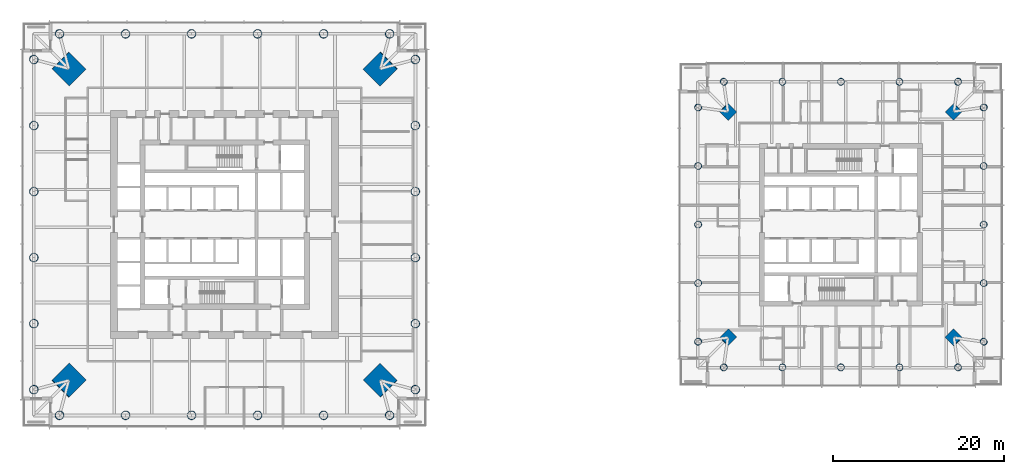
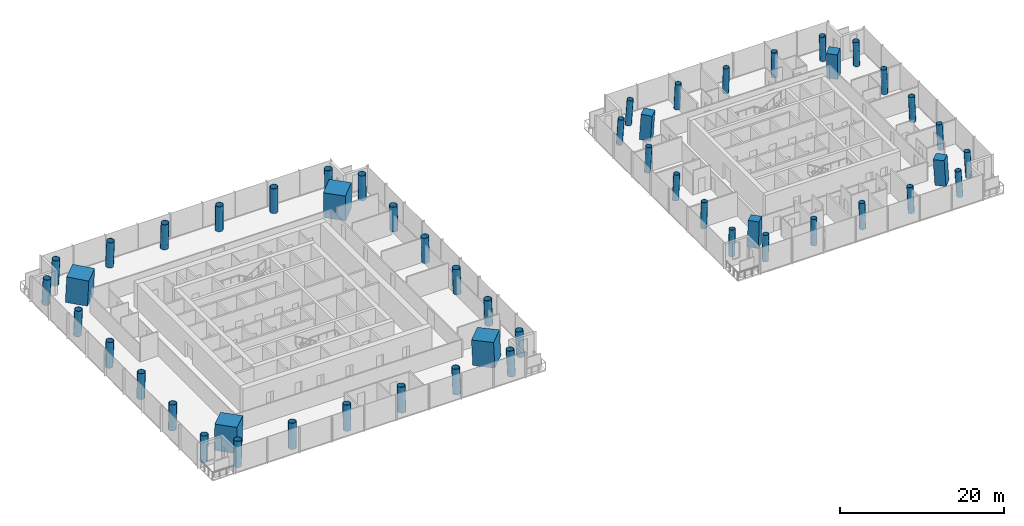
# One storey, part 1 of 18: 52 columns.
"""IFC4 building model written with IfcOpenShell, lengths in metres."""

import ifcopenshell
import ifcopenshell.guid

model = None  # the IFC model being written
_history = None  # IfcOwnerHistory: only IFC2X3 demands one
_inside = {}  # id of a spatial element -> (the spatial element, [elements in it])
_under = {}  # id of a project, library or spatial element -> (it, [spatial elements below it])
_declared = {}  # id of a project -> (the project, [libraries it declares])
_typed = {}  # id of a type object -> (the type object, [elements of that type])
_made_of = {}  # id of a material, layer set ... -> (it, [elements and type objects made of it])


def new_model(schema):
    """Start an empty IFC model of exactly this schema.

    Asked for "IFC4X3", IfcOpenShell would pick the latest addendum, in which some entities
    have other attributes; the version numbers below select the first issue.
    IFC2X3 requires an IfcOwnerHistory on every rooted entity: one is made here for all.
    """
    global model, _history
    if schema == "IFC4X3":
        model = ifcopenshell.file(schema_version=(4, 3, 0, 0))
    else:
        model = ifcopenshell.file(schema=schema)
    _inside.clear()
    _under.clear()
    _declared.clear()
    _typed.clear()
    _made_of.clear()
    _history = None
    if model.schema == "IFC2X3":
        org = make("IfcOrganization", Name="unknown")
        user = make(
            "IfcPersonAndOrganization",
            ThePerson=make("IfcPerson", FamilyName="unknown"),
            TheOrganization=org,
        )
        app = make(
            "IfcApplication",
            ApplicationDeveloper=org,
            Version="unknown",
            ApplicationFullName="unknown",
            ApplicationIdentifier="unknown",
        )
        _history = make(
            "IfcOwnerHistory",
            OwningUser=user,
            OwningApplication=app,
            ChangeAction="ADDED",
            CreationDate=0,
        )
    return model


def make(cls, **values):
    """One entity of the class cls with the attributes given. An attribute that is None is left unset."""
    return model.create_entity(
        cls, **{name: value for name, value in values.items() if value is not None}
    )


def rooted(cls, **values):
    """An entity with a GlobalId (a new one), such as an element, a storey or a relation."""
    return make(cls, GlobalId=ifcopenshell.guid.new(), OwnerHistory=_history, **values)


def si_unit(unit_type, name, prefix=None):
    """IfcSIUnit, for example si_unit("LENGTHUNIT", "METRE", prefix="MILLI")."""
    return make("IfcSIUnit", UnitType=unit_type, Prefix=prefix, Name=name)


def assignment(units):
    """IfcUnitAssignment: the units of a project."""
    return None if units is None else make("IfcUnitAssignment", Units=units)


def point(xyz):
    """IfcCartesianPoint."""
    return None if xyz is None else make("IfcCartesianPoint", Coordinates=xyz)


def direction(xyz):
    """IfcDirection."""
    return None if xyz is None else make("IfcDirection", DirectionRatios=xyz)


def frame(location, z_axis=None, x_axis=None):
    """IfcAxis2Placement3D, a coordinate frame: its origin and axes. An axis left out is left unset."""
    return make(
        "IfcAxis2Placement3D",
        Location=point(location),
        Axis=direction(z_axis),
        RefDirection=direction(x_axis),
    )


def frame_2d(location, x_axis=None):
    """IfcAxis2Placement2D, a coordinate frame in the plane: its origin and x axis."""
    return make(
        "IfcAxis2Placement2D", Location=point(location), RefDirection=direction(x_axis)
    )


def origin():
    """The frame at (0, 0, 0) with its axes left unset."""
    return frame((0.0, 0.0, 0.0))


def origin_2d():
    """The frame at (0, 0) in the plane with its x axis left unset."""
    return frame_2d((0.0, 0.0))


def place(relative_to, where):
    """IfcLocalPlacement: puts the frame where relative to a parent placement (None: the world)."""
    return make(
        "IfcLocalPlacement", PlacementRelTo=relative_to, RelativePlacement=where
    )


def context(
    kind, dimensions, precision=None, world=None, true_north=None, identifier=None
):
    """IfcGeometricRepresentationContext, for example the 3D "Model" context."""
    return make(
        "IfcGeometricRepresentationContext",
        ContextIdentifier=identifier,
        ContextType=kind,
        CoordinateSpaceDimension=dimensions,
        Precision=precision,
        WorldCoordinateSystem=world,
        TrueNorth=true_north,
    )


def subcontext(parent, identifier, kind, view, scale=None):
    """IfcGeometricRepresentationSubContext, for example "Body" below "Model"."""
    return make(
        "IfcGeometricRepresentationSubContext",
        ContextIdentifier=identifier,
        ContextType=kind,
        ParentContext=parent,
        TargetScale=scale,
        TargetView=view,
    )


def project(units=None, contexts=None):
    """IfcProject with its units and contexts."""
    return rooted(
        "IfcProject",
        Name="project",
        RepresentationContexts=contexts,
        UnitsInContext=assignment(units),
    )


def spatial(cls, under=None, at=None, **own):
    """A site, building, storey or space (cls), placed at a placement, below another one or the project."""
    s = rooted(cls, ObjectPlacement=at, **own)
    if under is not None:
        _under.setdefault(under.id(), (under, []))[1].append(s)
    return s


def profile(cls, at=None, kind="AREA", **sizes):
    """A parametric profile (cls). Its sizes go by their IFC names, for example OverallWidth=200.0."""
    return make(cls, ProfileType=kind, Position=at, **sizes)


def rectangle(**sizes):
    """IfcRectangleProfileDef."""
    return profile("IfcRectangleProfileDef", **sizes)


def hollow_circle(**sizes):
    """IfcCircleHollowProfileDef."""
    return profile("IfcCircleHollowProfileDef", **sizes)


def extrude(swept, where, along, depth):
    """IfcExtrudedAreaSolid: the profile swept, set in the frame where, extruded along a direction by depth."""
    return make(
        "IfcExtrudedAreaSolid",
        SweptArea=swept,
        Position=where,
        ExtrudedDirection=direction(along),
        Depth=depth,
    )


def shape(context_of_items, identifier, shape_type, items):
    """IfcShapeRepresentation: the items that make up one representation, for example the "Body"."""
    return make(
        "IfcShapeRepresentation",
        ContextOfItems=context_of_items,
        RepresentationIdentifier=identifier,
        RepresentationType=shape_type,
        Items=items,
    )


def material(Name=None, Category=None):
    """IfcMaterial."""
    return make("IfcMaterial", Name=Name, Category=Category)


def material_profile(
    of_material, cross_section, Name=None, Category=None, Priority=None
):
    """IfcMaterialProfile: a cross section and its material."""
    return make(
        "IfcMaterialProfile",
        Name=Name,
        Material=of_material,
        Profile=cross_section,
        Priority=Priority,
        Category=Category,
    )


def profile_set(profiles, Name=None, composite=None):
    """IfcMaterialProfileSet."""
    return make(
        "IfcMaterialProfileSet",
        Name=Name,
        MaterialProfiles=profiles,
        CompositeProfile=composite,
    )


def made_of(thing, what):
    """Note that an element or type object is made of a material, layer set ...; save() writes the relation."""
    if what is not None:
        _made_of.setdefault(what.id(), (what, []))[1].append(thing)
    return thing


def type_object(cls, material=None, **own):
    """A type object (cls), such as IfcWallType, which elements share."""
    return made_of(rooted(cls, **own), material)


def element(
    cls,
    number,
    at=None,
    inside=None,
    cuts=None,
    type_object=None,
    material=None,
    context=None,
    identifier="Body",
    shape_type=None,
    held_by="IfcProductDefinitionShape",
    body=None,
    shapes=None,
    **own,
):
    """One element of the class cls, such as IfcWall. Its Tag is "e" and its number.

    at: its placement. inside: the storey or other place that contains it. cuts: it is an
    opening in that element (IfcRelVoidsElement). A single representation is given by context,
    identifier, shape_type and body (its items); several are given by shapes. held_by: the class
    of the entity that holds the representations. save() writes the other relations.
    """
    e = rooted(cls, Tag="e%d" % number, ObjectPlacement=at, **own)
    if body is not None:
        shapes = [shape(context, identifier, shape_type, body)]
    if shapes is not None:
        e.Representation = make(held_by, Representations=shapes)
    if inside is not None:
        _inside.setdefault(inside.id(), (inside, []))[1].append(e)
    if cuts is not None:
        rooted(
            "IfcRelVoidsElement", RelatingBuildingElement=cuts, RelatedOpeningElement=e
        )
    if type_object is not None:
        _typed.setdefault(type_object.id(), (type_object, []))[1].append(e)
    return made_of(e, material)


def aggregate(whole, parts):
    """IfcRelAggregates: a whole, such as a stair, and the parts it consists of."""
    return rooted("IfcRelAggregates", RelatingObject=whole, RelatedObjects=parts)


def save(model, path):
    """Write the relations noted so far, then the file.

    IfcRelAggregates (storeys below a building ...), IfcRelContainedInSpatialStructure (elements
    in a storey), IfcRelDefinesByType, IfcRelAssociatesMaterial and IfcRelDeclares: one each for
    every whole, place, type object, material and project.
    """
    for whole, parts in _under.values():
        aggregate(whole, parts)
    for where, things in _inside.values():
        rooted(
            "IfcRelContainedInSpatialStructure",
            RelatedElements=things,
            RelatingStructure=where,
        )
    for kind, things in _typed.values():
        rooted("IfcRelDefinesByType", RelatedObjects=things, RelatingType=kind)
    for what, things in _made_of.values():
        rooted("IfcRelAssociatesMaterial", RelatedObjects=things, RelatingMaterial=what)
    for by, libraries in _declared.values():
        rooted("IfcRelDeclares", RelatingContext=by, RelatedDefinitions=libraries)
    model.write(path)


model = new_model("IFC4")

# Units and contexts
model_context = context("Model", 3, precision=1e-05, world=origin(), true_north=direction((0.0, 1.0)))
body_context = subcontext(model_context, "Body", "Model", "MODEL_VIEW")
ifc_project = project(units=[si_unit("LENGTHUNIT", "METRE"), si_unit("AREAUNIT", "SQUARE_METRE"), si_unit("VOLUMEUNIT", "CUBIC_METRE"), si_unit("PLANEANGLEUNIT", "RADIAN"), si_unit("MASSUNIT", "GRAM", prefix="KILO")], contexts=[model_context])

# Site, building, storey
site_placement = place(None, origin())
site = spatial("IfcSite", under=ifc_project, at=site_placement, CompositionType="ELEMENT")
building_placement = place(site_placement, origin())
building = spatial("IfcBuilding", under=site, at=building_placement, Name="Ostroluk Exchange", CompositionType="ELEMENT")
storey_placement = place(building_placement, frame((0.0, 0.0, 74.199951171875)))
storey = spatial("IfcBuildingStorey", under=building, at=storey_placement, Name="L18", CompositionType="ELEMENT", Elevation=74.199951171875)

# Columns
ifc_material_1 = material(Name="Concrete C50/60", Category="concrete")
ifc_material_profile_1 = material_profile(ifc_material_1, rectangle(XDim=1.39990234375, YDim=1.39990234375, at=origin_2d()), Name="RC 1400x1400")
ifc_profile_set_1 = profile_set([ifc_material_profile_1], Name="Concrete C50/60")
column_type_1 = type_object("IfcColumnType", Name="Mega column RC 1400x1400", PredefinedType="COLUMN", material=ifc_profile_set_1)
for number, where, z_axis, x_axis, name in (
    (1, (130.206787109375, 59.206787109375, 0.0), (-0.042965756413, -0.042965756413, 0.998152236661), (0.707106781187, -0.707106781187, 0.0), "T2 mega column NE"),
    (2, (103.793212890625, 59.206787109375, 0.0), (0.042965756413, -0.042965756413, 0.998152236661), (0.707106781187, 0.707106781187, 0.0), "T2 mega column NW"),
    (3, (103.793212890625, 32.793212890625, 0.0), (0.042965756413, 0.042965756413, 0.998152236661), (-0.707106781187, 0.707106781187, 0.0), "T2 mega column SW"),
    (4, (130.206787109375, 32.793212890625, 0.0), (-0.042965756413, 0.042965756413, 0.998152236661), (-0.707106781187, -0.707106781187, 0.0), "T2 mega column SE"),
):
    element("IfcColumn", number, at=place(storey_placement, frame(where, z_axis=z_axis, x_axis=x_axis)), inside=storey, type_object=column_type_1, Name=name, PredefinedType="COLUMN", context=body_context, shape_type="SweptSolid", body=[
        extrude(rectangle(XDim=1.39990234375, YDim=1.39990234375, at=origin_2d()), origin(), (0.0, 0.0, 1.0), 3.80712890625),
    ])
ifc_material_2 = material(Name="Concrete C50/60", Category="concrete")
ifc_material_profile_2 = material_profile(ifc_material_2, rectangle(XDim=2.800048828125, YDim=2.800048828125, at=origin_2d()), Name="RC 2800x2800")
ifc_profile_set_2 = profile_set([ifc_material_profile_2], Name="Concrete C50/60")
column_type_2 = type_object("IfcColumnType", Name="Mega column RC 2800x2800", PredefinedType="COLUMN", material=ifc_profile_set_2)
for number, where, z_axis, x_axis, name in (
    (5, (63.199951171875, 64.199951171875, 0.0), (-0.031898107953, -0.031898107953, 0.998981992539), (0.707106781187, -0.707106781187, 0.0), "T1 mega column NE"),
    (6, (26.800048828125, 64.199951171875, 0.0), (0.031898107953, -0.031898107953, 0.998981992539), (0.707106781187, 0.707106781187, 0.0), "T1 mega column NW"),
    (7, (26.800048828125, 27.800048828125, 0.0), (0.031898107953, 0.031898107953, 0.998981992539), (-0.707106781187, 0.707106781187, 0.0), "T1 mega column SW"),
    (8, (63.199951171875, 27.800048828125, 0.0), (-0.031898107953, 0.031898107953, 0.998981992539), (-0.707106781187, -0.707106781187, 0.0), "T1 mega column SE"),
):
    element("IfcColumn", number, at=place(storey_placement, frame(where, z_axis=z_axis, x_axis=x_axis)), inside=storey, type_object=column_type_2, Name=name, PredefinedType="COLUMN", context=body_context, shape_type="SweptSolid", body=[
        extrude(rectangle(XDim=2.800048828125, YDim=2.800048828125, at=origin_2d()), origin(), (0.0, 0.0, 1.0), 3.803955078125),
    ])
ifc_material_3 = material(Name="Steel S460", Category="steel")
ifc_material_profile_3 = material_profile(ifc_material_3, hollow_circle(Radius=0.508056640625, WallThickness=0.0400390625, at=origin_2d()), Name="CHS 1016x40")
ifc_profile_set_3 = profile_set([ifc_material_profile_3], Name="Steel S460")
column_type_3 = type_object("IfcColumnType", Name="Perimeter column CHS 1016x40", PredefinedType="COLUMN", material=ifc_profile_set_3)
for number, where, z_axis, x_axis, name in (
    (9, (67.300048828125, 26.699951171875, 0.0), (-0.031962158256, 0.031962158256, 0.998977898093), (-0.707106781187, -0.707106781187, 0.0), "T1 east face column E0"),
    (10, (67.300048828125, 65.300048828125, 0.0), (-0.031962158256, -0.031962158256, 0.998977898093), (0.707106781187, -0.707106781187, 0.0), "T1 east face column E1"),
):
    element("IfcColumn", number, at=place(storey_placement, frame(where, z_axis=z_axis, x_axis=x_axis)), inside=storey, type_object=column_type_3, Name=name, PredefinedType="COLUMN", context=body_context, shape_type="SweptSolid", body=[
        extrude(hollow_circle(Radius=0.508056640625, WallThickness=0.0400390625, at=origin_2d()), origin(), (0.0, 0.0, 1.0), 3.803955078125),
    ])
column_1_placement = place(storey_placement, frame((67.300048828125, 34.419921875, 0.0), z_axis=(-0.031972604108, 0.019196402868, 0.999304383411), x_axis=(-0.514748904804, -0.857340985258, 0.0)))
element("IfcColumn", 11, at=column_1_placement, inside=storey, type_object=column_type_3, Name="T1 east face column I1", PredefinedType="COLUMN", context=body_context, shape_type="SweptSolid", body=[
    extrude(hollow_circle(Radius=0.508056640625, WallThickness=0.0400390625, at=origin_2d()), origin(), (0.0, 0.0, 1.0), 3.802734375),
])
for number, where, z_axis, x_axis, name in (
    (12, (67.300048828125, 42.139892578125, 0.0), (-0.031977837436, 0.006421252497, 0.999467951177), (-0.196873281596, -0.980428942348, 0.0), "T1 east face column I2"),
    (13, (67.300048828125, 49.860107421875, 0.0), (-0.031977837436, -0.006421252497, 0.999467951177), (0.196873281596, -0.980428942348, 0.0), "T1 east face column I3"),
):
    element("IfcColumn", number, at=place(storey_placement, frame(where, z_axis=z_axis, x_axis=x_axis)), inside=storey, type_object=column_type_3, Name=name, PredefinedType="COLUMN", context=body_context, shape_type="SweptSolid", body=[
        extrude(hollow_circle(Radius=0.508056640625, WallThickness=0.0400390625, at=origin_2d()), origin(), (0.0, 0.0, 1.0), 3.802001953125),
    ])
column_2_placement = place(storey_placement, frame((67.300048828125, 57.580078125, 0.0), z_axis=(-0.031972604108, -0.019196402868, 0.999304383411), x_axis=(0.514748904804, -0.857340985258, 0.0)))
element("IfcColumn", 14, at=column_2_placement, inside=storey, type_object=column_type_3, Name="T1 east face column I4", PredefinedType="COLUMN", context=body_context, shape_type="SweptSolid", body=[
    extrude(hollow_circle(Radius=0.508056640625, WallThickness=0.0400390625, at=origin_2d()), origin(), (0.0, 0.0, 1.0), 3.802734375),
])
for number, where, z_axis, x_axis, name in (
    (15, (64.300048828125, 68.300048828125, 0.0), (-0.031962158256, -0.031962158256, 0.998977898093), (0.707106781187, -0.707106781187, 0.0), "T1 north face column E0"),
    (16, (25.699951171875, 68.300048828125, 0.0), (0.031962158256, -0.031962158256, 0.998977898093), (0.707106781187, 0.707106781187, 0.0), "T1 north face column E1"),
):
    element("IfcColumn", number, at=place(storey_placement, frame(where, z_axis=z_axis, x_axis=x_axis)), inside=storey, type_object=column_type_3, Name=name, PredefinedType="COLUMN", context=body_context, shape_type="SweptSolid", body=[
        extrude(hollow_circle(Radius=0.508056640625, WallThickness=0.0400390625, at=origin_2d()), origin(), (0.0, 0.0, 1.0), 3.803955078125),
    ])
column_3_placement = place(storey_placement, frame((56.580078125, 68.300048828125, 0.0), z_axis=(-0.019196402868, -0.031972604108, 0.999304383411), x_axis=(0.857340985258, -0.514748904804, 0.0)))
element("IfcColumn", 17, at=column_3_placement, inside=storey, type_object=column_type_3, Name="T1 north face column I1", PredefinedType="COLUMN", context=body_context, shape_type="SweptSolid", body=[
    extrude(hollow_circle(Radius=0.508056640625, WallThickness=0.0400390625, at=origin_2d()), origin(), (0.0, 0.0, 1.0), 3.802734375),
])
for number, where, z_axis, x_axis, name in (
    (18, (48.860107421875, 68.300048828125, 0.0), (-0.006421252497, -0.031977837436, 0.999467951177), (0.980428942348, -0.196873281596, 0.0), "T1 north face column I2"),
    (19, (41.139892578125, 68.300048828125, 0.0), (0.006421252497, -0.031977837436, 0.999467951177), (0.980428942348, 0.196873281596, 0.0), "T1 north face column I3"),
):
    element("IfcColumn", number, at=place(storey_placement, frame(where, z_axis=z_axis, x_axis=x_axis)), inside=storey, type_object=column_type_3, Name=name, PredefinedType="COLUMN", context=body_context, shape_type="SweptSolid", body=[
        extrude(hollow_circle(Radius=0.508056640625, WallThickness=0.0400390625, at=origin_2d()), origin(), (0.0, 0.0, 1.0), 3.802001953125),
    ])
column_4_placement = place(storey_placement, frame((33.419921875, 68.300048828125, 0.0), z_axis=(0.019196402868, -0.031972604108, 0.999304383411), x_axis=(0.857340985258, 0.514748904804, 0.0)))
element("IfcColumn", 20, at=column_4_placement, inside=storey, type_object=column_type_3, Name="T1 north face column I4", PredefinedType="COLUMN", context=body_context, shape_type="SweptSolid", body=[
    extrude(hollow_circle(Radius=0.508056640625, WallThickness=0.0400390625, at=origin_2d()), origin(), (0.0, 0.0, 1.0), 3.802734375),
])
for number, where, z_axis, x_axis, name in (
    (21, (22.699951171875, 65.300048828125, 0.0), (0.031962158256, -0.031962158256, 0.998977898093), (0.707106781187, 0.707106781187, 0.0), "T1 west face column E0"),
    (22, (22.699951171875, 26.699951171875, 0.0), (0.031962158256, 0.031962158256, 0.998977898093), (-0.707106781187, 0.707106781187, 0.0), "T1 west face column E1"),
):
    element("IfcColumn", number, at=place(storey_placement, frame(where, z_axis=z_axis, x_axis=x_axis)), inside=storey, type_object=column_type_3, Name=name, PredefinedType="COLUMN", context=body_context, shape_type="SweptSolid", body=[
        extrude(hollow_circle(Radius=0.508056640625, WallThickness=0.0400390625, at=origin_2d()), origin(), (0.0, 0.0, 1.0), 3.803955078125),
    ])
column_5_placement = place(storey_placement, frame((22.699951171875, 57.580078125, 0.0), z_axis=(0.031972604108, -0.019196402868, 0.999304383411), x_axis=(0.514748904804, 0.857340985258, 0.0)))
element("IfcColumn", 23, at=column_5_placement, inside=storey, type_object=column_type_3, Name="T1 west face column I1", PredefinedType="COLUMN", context=body_context, shape_type="SweptSolid", body=[
    extrude(hollow_circle(Radius=0.508056640625, WallThickness=0.0400390625, at=origin_2d()), origin(), (0.0, 0.0, 1.0), 3.802734375),
])
for number, where, z_axis, x_axis, name in (
    (24, (22.699951171875, 49.860107421875, 0.0), (0.031977837436, -0.006421252497, 0.999467951177), (0.196873281596, 0.980428942348, 0.0), "T1 west face column I2"),
    (25, (22.699951171875, 42.139892578125, 0.0), (0.031977837436, 0.006421252497, 0.999467951177), (-0.196873281596, 0.980428942348, 0.0), "T1 west face column I3"),
):
    element("IfcColumn", number, at=place(storey_placement, frame(where, z_axis=z_axis, x_axis=x_axis)), inside=storey, type_object=column_type_3, Name=name, PredefinedType="COLUMN", context=body_context, shape_type="SweptSolid", body=[
        extrude(hollow_circle(Radius=0.508056640625, WallThickness=0.0400390625, at=origin_2d()), origin(), (0.0, 0.0, 1.0), 3.802001953125),
    ])
column_6_placement = place(storey_placement, frame((22.699951171875, 34.419921875, 0.0), z_axis=(0.031972604108, 0.019196402868, 0.999304383411), x_axis=(-0.514748904804, 0.857340985258, 0.0)))
element("IfcColumn", 26, at=column_6_placement, inside=storey, type_object=column_type_3, Name="T1 west face column I4", PredefinedType="COLUMN", context=body_context, shape_type="SweptSolid", body=[
    extrude(hollow_circle(Radius=0.508056640625, WallThickness=0.0400390625, at=origin_2d()), origin(), (0.0, 0.0, 1.0), 3.802734375),
])
for number, where, z_axis, x_axis, name in (
    (27, (25.699951171875, 23.699951171875, 0.0), (0.031962158256, 0.031962158256, 0.998977898093), (-0.707106781187, 0.707106781187, 0.0), "T1 south face column E0"),
    (28, (64.300048828125, 23.699951171875, 0.0), (-0.031962158256, 0.031962158256, 0.998977898093), (-0.707106781187, -0.707106781187, 0.0), "T1 south face column E1"),
):
    element("IfcColumn", number, at=place(storey_placement, frame(where, z_axis=z_axis, x_axis=x_axis)), inside=storey, type_object=column_type_3, Name=name, PredefinedType="COLUMN", context=body_context, shape_type="SweptSolid", body=[
        extrude(hollow_circle(Radius=0.508056640625, WallThickness=0.0400390625, at=origin_2d()), origin(), (0.0, 0.0, 1.0), 3.803955078125),
    ])
column_7_placement = place(storey_placement, frame((33.419921875, 23.699951171875, 0.0), z_axis=(0.019196402868, 0.031972604108, 0.999304383411), x_axis=(-0.857340985258, 0.514748904804, 0.0)))
element("IfcColumn", 29, at=column_7_placement, inside=storey, type_object=column_type_3, Name="T1 south face column I1", PredefinedType="COLUMN", context=body_context, shape_type="SweptSolid", body=[
    extrude(hollow_circle(Radius=0.508056640625, WallThickness=0.0400390625, at=origin_2d()), origin(), (0.0, 0.0, 1.0), 3.802734375),
])
for number, where, z_axis, x_axis, name in (
    (30, (41.139892578125, 23.699951171875, 0.0), (0.006421252497, 0.031977837436, 0.999467951177), (-0.980428942348, 0.196873281596, 0.0), "T1 south face column I2"),
    (31, (48.860107421875, 23.699951171875, 0.0), (-0.006421252497, 0.031977837436, 0.999467951177), (-0.980428942348, -0.196873281596, 0.0), "T1 south face column I3"),
):
    element("IfcColumn", number, at=place(storey_placement, frame(where, z_axis=z_axis, x_axis=x_axis)), inside=storey, type_object=column_type_3, Name=name, PredefinedType="COLUMN", context=body_context, shape_type="SweptSolid", body=[
        extrude(hollow_circle(Radius=0.508056640625, WallThickness=0.0400390625, at=origin_2d()), origin(), (0.0, 0.0, 1.0), 3.802001953125),
    ])
column_8_placement = place(storey_placement, frame((56.580078125, 23.699951171875, 0.0), z_axis=(-0.019196402868, 0.031972604108, 0.999304383411), x_axis=(-0.857340985258, -0.514748904804, 0.0)))
element("IfcColumn", 32, at=column_8_placement, inside=storey, type_object=column_type_3, Name="T1 south face column I4", PredefinedType="COLUMN", context=body_context, shape_type="SweptSolid", body=[
    extrude(hollow_circle(Radius=0.508056640625, WallThickness=0.0400390625, at=origin_2d()), origin(), (0.0, 0.0, 1.0), 3.802734375),
])
ifc_material_4 = material(Name="Steel S460", Category="steel")
ifc_material_profile_4 = material_profile(ifc_material_4, hollow_circle(Radius=0.406494140625, WallThickness=0.030029296875, at=origin_2d()), Name="CHS 813x30")
ifc_profile_set_4 = profile_set([ifc_material_profile_4], Name="Steel S460")
column_type_4 = type_object("IfcColumnType", Name="Perimeter column CHS 813x30", PredefinedType="COLUMN", material=ifc_profile_set_4)
for number, where, z_axis, x_axis, name in (
    (33, (133.706787109375, 32.293212890625, 0.0), (-0.042965756413, 0.042965756413, 0.998152236661), (-0.707106781187, -0.707106781187, 0.0), "T2 east face column E0"),
    (34, (133.706787109375, 59.706787109375, 0.0), (-0.042965756413, -0.042965756413, 0.998152236661), (0.707106781187, -0.707106781187, 0.0), "T2 east face column E1"),
):
    element("IfcColumn", number, at=place(storey_placement, frame(where, z_axis=z_axis, x_axis=x_axis)), inside=storey, type_object=column_type_4, Name=name, PredefinedType="COLUMN", context=body_context, shape_type="SweptSolid", body=[
        extrude(hollow_circle(Radius=0.406494140625, WallThickness=0.030029296875, at=origin_2d()), origin(), (0.0, 0.0, 1.0), 3.80712890625),
    ])
column_9_placement = place(storey_placement, frame((133.706787109375, 39.146484375, 0.0), z_axis=(-0.042995471882, 0.021561908287, 0.998842566929), x_axis=(-0.448280611873, -0.89389288677, 0.0)))
element("IfcColumn", 35, at=column_9_placement, inside=storey, type_object=column_type_4, Name="T2 east face column I1", PredefinedType="COLUMN", context=body_context, shape_type="SweptSolid", body=[
    extrude(hollow_circle(Radius=0.406494140625, WallThickness=0.030029296875, at=origin_2d()), origin(), (0.0, 0.0, 1.0), 3.804443359375),
])
column_10_placement = place(storey_placement, frame((133.706787109375, 46.0, 0.0), z_axis=(-0.043005470007, 0.0, 0.999074836811), x_axis=(0.0, -1.0, 0.0)))
element("IfcColumn", 36, at=column_10_placement, inside=storey, type_object=column_type_4, Name="T2 east face column I2", PredefinedType="COLUMN", context=body_context, shape_type="SweptSolid", body=[
    extrude(hollow_circle(Radius=0.406494140625, WallThickness=0.030029296875, at=origin_2d()), origin(), (0.0, 0.0, 1.0), 3.803466796875),
])
column_11_placement = place(storey_placement, frame((133.706787109375, 52.853515625, 0.0), z_axis=(-0.042995471882, -0.021561908287, 0.998842566929), x_axis=(0.448280611873, -0.89389288677, 0.0)))
element("IfcColumn", 37, at=column_11_placement, inside=storey, type_object=column_type_4, Name="T2 east face column I3", PredefinedType="COLUMN", context=body_context, shape_type="SweptSolid", body=[
    extrude(hollow_circle(Radius=0.406494140625, WallThickness=0.030029296875, at=origin_2d()), origin(), (0.0, 0.0, 1.0), 3.804443359375),
])
for number, where, z_axis, x_axis, name in (
    (38, (130.706787109375, 62.706787109375, 0.0), (-0.042965756413, -0.042965756413, 0.998152236661), (0.707106781187, -0.707106781187, 0.0), "T2 north face column E0"),
    (39, (103.293212890625, 62.706787109375, 0.0), (0.042965756413, -0.042965756413, 0.998152236661), (0.707106781187, 0.707106781187, 0.0), "T2 north face column E1"),
):
    element("IfcColumn", number, at=place(storey_placement, frame(where, z_axis=z_axis, x_axis=x_axis)), inside=storey, type_object=column_type_4, Name=name, PredefinedType="COLUMN", context=body_context, shape_type="SweptSolid", body=[
        extrude(hollow_circle(Radius=0.406494140625, WallThickness=0.030029296875, at=origin_2d()), origin(), (0.0, 0.0, 1.0), 3.80712890625),
    ])
column_12_placement = place(storey_placement, frame((123.853515625, 62.706787109375, 0.0), z_axis=(-0.021561908287, -0.042995471882, 0.998842566929), x_axis=(0.89389288677, -0.448280611873, 0.0)))
element("IfcColumn", 40, at=column_12_placement, inside=storey, type_object=column_type_4, Name="T2 north face column I1", PredefinedType="COLUMN", context=body_context, shape_type="SweptSolid", body=[
    extrude(hollow_circle(Radius=0.406494140625, WallThickness=0.030029296875, at=origin_2d()), origin(), (0.0, 0.0, 1.0), 3.804443359375),
])
column_13_placement = place(storey_placement, frame((117.0, 62.706787109375, 0.0), z_axis=(0.0, -0.043005470007, 0.999074836811), x_axis=(1.0, 0.0, 0.0)))
element("IfcColumn", 41, at=column_13_placement, inside=storey, type_object=column_type_4, Name="T2 north face column I2", PredefinedType="COLUMN", context=body_context, shape_type="SweptSolid", body=[
    extrude(hollow_circle(Radius=0.406494140625, WallThickness=0.030029296875, at=origin_2d()), origin(), (0.0, 0.0, 1.0), 3.803466796875),
])
column_14_placement = place(storey_placement, frame((110.146484375, 62.706787109375, 0.0), z_axis=(0.021561908287, -0.042995471882, 0.998842566929), x_axis=(0.89389288677, 0.448280611873, 0.0)))
element("IfcColumn", 42, at=column_14_placement, inside=storey, type_object=column_type_4, Name="T2 north face column I3", PredefinedType="COLUMN", context=body_context, shape_type="SweptSolid", body=[
    extrude(hollow_circle(Radius=0.406494140625, WallThickness=0.030029296875, at=origin_2d()), origin(), (0.0, 0.0, 1.0), 3.804443359375),
])
for number, where, z_axis, x_axis, name in (
    (43, (100.293212890625, 59.706787109375, 0.0), (0.042965756413, -0.042965756413, 0.998152236661), (0.707106781187, 0.707106781187, 0.0), "T2 west face column E0"),
    (44, (100.293212890625, 32.293212890625, 0.0), (0.042965756413, 0.042965756413, 0.998152236661), (-0.707106781187, 0.707106781187, 0.0), "T2 west face column E1"),
):
    element("IfcColumn", number, at=place(storey_placement, frame(where, z_axis=z_axis, x_axis=x_axis)), inside=storey, type_object=column_type_4, Name=name, PredefinedType="COLUMN", context=body_context, shape_type="SweptSolid", body=[
        extrude(hollow_circle(Radius=0.406494140625, WallThickness=0.030029296875, at=origin_2d()), origin(), (0.0, 0.0, 1.0), 3.80712890625),
    ])
column_15_placement = place(storey_placement, frame((100.293212890625, 52.853515625, 0.0), z_axis=(0.042995471882, -0.021561908287, 0.998842566929), x_axis=(0.448280611873, 0.89389288677, 0.0)))
element("IfcColumn", 45, at=column_15_placement, inside=storey, type_object=column_type_4, Name="T2 west face column I1", PredefinedType="COLUMN", context=body_context, shape_type="SweptSolid", body=[
    extrude(hollow_circle(Radius=0.406494140625, WallThickness=0.030029296875, at=origin_2d()), origin(), (0.0, 0.0, 1.0), 3.804443359375),
])
column_16_placement = place(storey_placement, frame((100.293212890625, 46.0, 0.0), z_axis=(0.043005470007, 0.0, 0.999074836811), x_axis=(0.0, 1.0, 0.0)))
element("IfcColumn", 46, at=column_16_placement, inside=storey, type_object=column_type_4, Name="T2 west face column I2", PredefinedType="COLUMN", context=body_context, shape_type="SweptSolid", body=[
    extrude(hollow_circle(Radius=0.406494140625, WallThickness=0.030029296875, at=origin_2d()), origin(), (0.0, 0.0, 1.0), 3.803466796875),
])
column_17_placement = place(storey_placement, frame((100.293212890625, 39.146484375, 0.0), z_axis=(0.042995471882, 0.021561908287, 0.998842566929), x_axis=(-0.448280611873, 0.89389288677, 0.0)))
element("IfcColumn", 47, at=column_17_placement, inside=storey, type_object=column_type_4, Name="T2 west face column I3", PredefinedType="COLUMN", context=body_context, shape_type="SweptSolid", body=[
    extrude(hollow_circle(Radius=0.406494140625, WallThickness=0.030029296875, at=origin_2d()), origin(), (0.0, 0.0, 1.0), 3.804443359375),
])
for number, where, z_axis, x_axis, name in (
    (48, (103.293212890625, 29.293212890625, 0.0), (0.042965756413, 0.042965756413, 0.998152236661), (-0.707106781187, 0.707106781187, 0.0), "T2 south face column E0"),
    (49, (130.706787109375, 29.293212890625, 0.0), (-0.042965756413, 0.042965756413, 0.998152236661), (-0.707106781187, -0.707106781187, 0.0), "T2 south face column E1"),
):
    element("IfcColumn", number, at=place(storey_placement, frame(where, z_axis=z_axis, x_axis=x_axis)), inside=storey, type_object=column_type_4, Name=name, PredefinedType="COLUMN", context=body_context, shape_type="SweptSolid", body=[
        extrude(hollow_circle(Radius=0.406494140625, WallThickness=0.030029296875, at=origin_2d()), origin(), (0.0, 0.0, 1.0), 3.80712890625),
    ])
column_18_placement = place(storey_placement, frame((110.146484375, 29.293212890625, 0.0), z_axis=(0.021561908287, 0.042995471882, 0.998842566929), x_axis=(-0.89389288677, 0.448280611873, 0.0)))
element("IfcColumn", 50, at=column_18_placement, inside=storey, type_object=column_type_4, Name="T2 south face column I1", PredefinedType="COLUMN", context=body_context, shape_type="SweptSolid", body=[
    extrude(hollow_circle(Radius=0.406494140625, WallThickness=0.030029296875, at=origin_2d()), origin(), (0.0, 0.0, 1.0), 3.804443359375),
])
column_19_placement = place(storey_placement, frame((117.0, 29.293212890625, 0.0), z_axis=(0.0, 0.043005470007, 0.999074836811), x_axis=(-1.0, 0.0, 0.0)))
element("IfcColumn", 51, at=column_19_placement, inside=storey, type_object=column_type_4, Name="T2 south face column I2", PredefinedType="COLUMN", context=body_context, shape_type="SweptSolid", body=[
    extrude(hollow_circle(Radius=0.406494140625, WallThickness=0.030029296875, at=origin_2d()), origin(), (0.0, 0.0, 1.0), 3.803466796875),
])
column_20_placement = place(storey_placement, frame((123.853515625, 29.293212890625, 0.0), z_axis=(-0.021561908287, 0.042995471882, 0.998842566929), x_axis=(-0.89389288677, -0.448280611873, 0.0)))
element("IfcColumn", 52, at=column_20_placement, inside=storey, type_object=column_type_4, Name="T2 south face column I3", PredefinedType="COLUMN", context=body_context, shape_type="SweptSolid", body=[
    extrude(hollow_circle(Radius=0.406494140625, WallThickness=0.030029296875, at=origin_2d()), origin(), (0.0, 0.0, 1.0), 3.804443359375),
])

save(model, "model.ifc")
